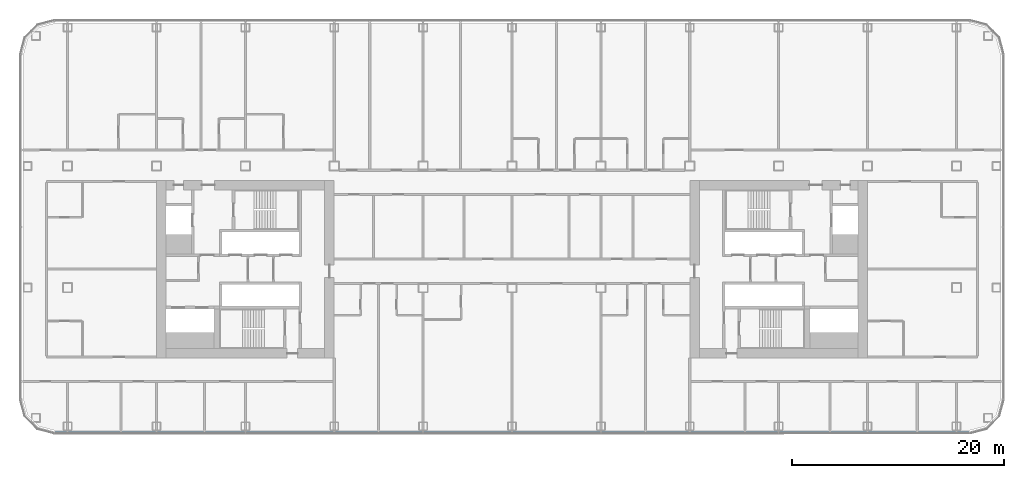
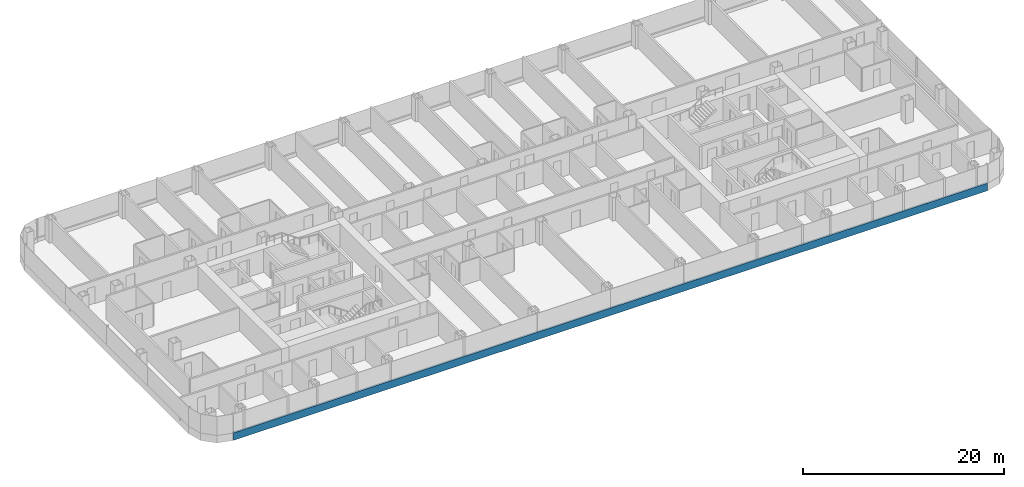
# One storey, part 5 of 29: 1 member, 1 element without a shape of its own.
"""IFC4 building model written with IfcOpenShell, lengths in metres."""

from ifc_helpers import new_model, si_unit, direction, frame, origin, origin_2d, place, context, subcontext, project, spatial, rectangle, extrude, material, layer, layer_set, material_profile, profile_set, type_object, element, aggregate, save


model = new_model("IFC4")

# Units and contexts
model_context = context("Model", 3, precision=1e-05, world=origin(), true_north=direction((0.0, 1.0)))
body_context = subcontext(model_context, "Body", "Model", "MODEL_VIEW")
ifc_project = project(units=[si_unit("LENGTHUNIT", "METRE"), si_unit("AREAUNIT", "SQUARE_METRE"), si_unit("VOLUMEUNIT", "CUBIC_METRE"), si_unit("PLANEANGLEUNIT", "RADIAN"), si_unit("MASSUNIT", "GRAM", prefix="KILO")], contexts=[model_context])

# Site, building, storey
site_placement = place(None, origin())
site = spatial("IfcSite", under=ifc_project, at=site_placement, CompositionType="ELEMENT")
building_placement = place(site_placement, origin())
building = spatial("IfcBuilding", under=site, at=building_placement, Name="Hakoniwa Tower and Hamabe Station Hall", CompositionType="ELEMENT")
storey_placement = place(building_placement, frame((0.0, 0.0, 78.60009765625)))
storey = spatial("IfcBuildingStorey", under=building, at=storey_placement, Name="L21", CompositionType="ELEMENT", Elevation=78.60009765625)

# Curtain wall, member
ifc_material_1 = material(Name="Dark low-e laminated glass", Category="glass")
ifc_layer = layer(ifc_material_1, 0.199951171875)
ifc_layer_set = layer_set([ifc_layer], Name="CW-1 UNITISED GUEST")
curtain_wall_type = type_object("IfcCurtainWallType", Name="CW-1 UNITISED GUEST", PredefinedType="NOTDEFINED", material=ifc_layer_set)
curtain_wall_placement = place(storey_placement, origin())
curtain_wall = element("IfcCurtainWall", 1, at=curtain_wall_placement, inside=storey, type_object=curtain_wall_type, Name="CW-1 curtain wall", PredefinedType="NOTDEFINED")
ifc_material_2 = material(Name="Aluminium 6063-T5 black anodised", Category="aluminium")
ifc_material_profile = material_profile(ifc_material_2, rectangle(XDim=0.199951171875, YDim=0.89990234375, at=origin_2d()), Name="CW SLAB-EDGE BAND 900X200")
ifc_profile_set = profile_set([ifc_material_profile], Name="Aluminium 6063-T5 black anodised")
member_type = type_object("IfcMemberType", Name="CW SLAB-EDGE BAND 900X200", PredefinedType="USERDEFINED", material=ifc_profile_set)
member_placement = place(storey_placement, frame((-43.239501953125, -15.449951171875, -0.10009765625), z_axis=(1.0, 0.0, 0.0), x_axis=(0.0, 1.0, 0.0)))
member = element("IfcMember", 2, at=member_placement, type_object=member_type, Name="CW-1 transom", ObjectType="TRANSOM", PredefinedType="USERDEFINED", context=body_context, shape_type="SweptSolid", body=[
    extrude(rectangle(XDim=0.199951171875, YDim=0.89990234375, at=origin_2d()), origin(), (0.0, 0.0, 1.0), 86.47900390625),
])
aggregate(curtain_wall, [member])

save(model, "model.ifc")
